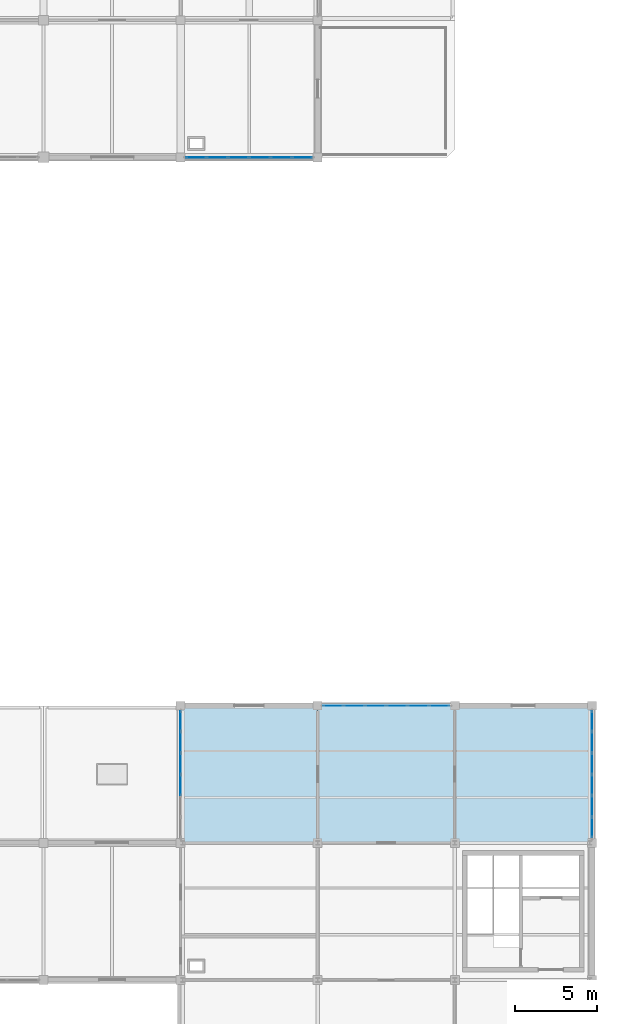
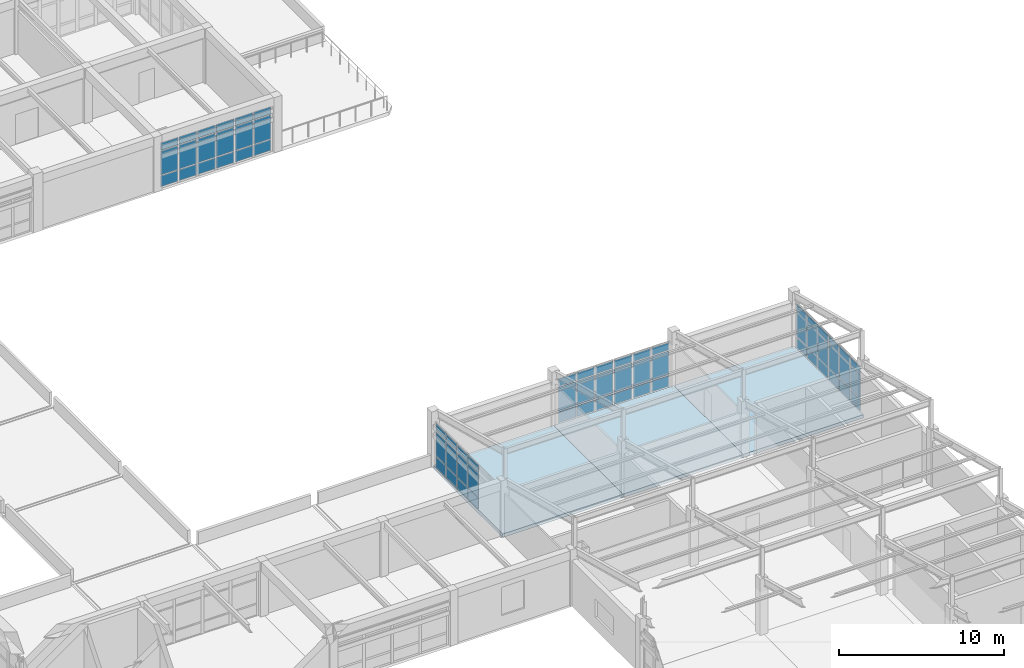
# One storey, part 58 of 74: 66 plates, 3 slabs, 4 elements without a shape of their own.
"""IFC4 building model written with IfcOpenShell, lengths in metres."""

from ifc_helpers import new_model, si_unit, direction, frame, origin, origin_2d, place, context, subcontext, project, spatial, polyline, rectangle, outline, extrude, material, layer, layer_set, type_object, element, aggregate, save


model = new_model("IFC4")

# Units and contexts
model_context = context("Model", 3, precision=1e-05, world=origin(), true_north=direction((0.0, 1.0)))
body_context = subcontext(model_context, "Body", "Model", "MODEL_VIEW")
ifc_project = project(units=[si_unit("LENGTHUNIT", "METRE"), si_unit("AREAUNIT", "SQUARE_METRE"), si_unit("VOLUMEUNIT", "CUBIC_METRE"), si_unit("PLANEANGLEUNIT", "RADIAN"), si_unit("MASSUNIT", "GRAM", prefix="KILO")], contexts=[model_context])

# Site, building, storey
site_placement = place(None, origin())
site = spatial("IfcSite", under=ifc_project, at=site_placement, CompositionType="ELEMENT")
building_placement = place(site_placement, origin())
building = spatial("IfcBuilding", under=site, at=building_placement, Name="Porcellanite Civic Hall", CompositionType="ELEMENT")
storey_placement = place(building_placement, frame((0.0, 0.0, 14.760009765625)))
storey = spatial("IfcBuildingStorey", under=building, at=storey_placement, Name="L03", CompositionType="ELEMENT", Elevation=14.760009765625)

# Curtain wall, plates
ifc_material_1 = material(Name="Anodised aluminium and solar laminated glass", Category="aluminium")
ifc_layer_1 = layer(ifc_material_1, 0.179931640625)
ifc_layer_set_1 = layer_set([ifc_layer_1], Name="Anodised aluminium and solar laminated glass")
curtain_wall_type = type_object("IfcCurtainWallType", Name="CW-SYS02", PredefinedType="NOTDEFINED", material=ifc_layer_set_1)
curtain_wall_1_placement = place(storey_placement, origin())
curtain_wall_1 = element("IfcCurtainWall", 1, at=curtain_wall_1_placement, inside=storey, type_object=curtain_wall_type, Name="Curtain wall CW-223", PredefinedType="NOTDEFINED")
ifc_material_2 = material(Name="Cyclone laminated solar-control low-E glass", Category="glass")
ifc_layer_2 = layer(ifc_material_2, 0.02587890625)
ifc_layer_set_2 = layer_set([ifc_layer_2], Name="Cyclone laminated solar-control low-E glass")
plate_type = type_object("IfcPlateType", Name="CWP-02", PredefinedType="CURTAIN_PANEL", material=ifc_layer_set_2)
plate_1_placement = place(storey_placement, frame((142.800048828125, 62.345947265625, 0.06494140625), z_axis=(0.0, 0.0, 1.0), x_axis=(0.0, 1.0, 0.0)))
plate_1 = element("IfcPlate", 2, at=plate_1_placement, type_object=plate_type, Name="CW-223 panel 3.1", PredefinedType="CURTAIN_PANEL", context=body_context, shape_type="SweptSolid", body=[
    extrude(rectangle(XDim=1.23291015625, YDim=0.02587890625, at=origin_2d()), origin(), (0.0, 0.0, 1.0), 0.802490234375),
])
plate_2_placement = place(storey_placement, frame((142.800048828125, 62.345947265625, 0.9326171875), z_axis=(0.0, 0.0, 1.0), x_axis=(0.0, 1.0, 0.0)))
plate_2 = element("IfcPlate", 3, at=plate_2_placement, type_object=plate_type, Name="CW-223 panel 3.2", PredefinedType="CURTAIN_PANEL", context=body_context, shape_type="SweptSolid", body=[
    extrude(rectangle(XDim=1.23291015625, YDim=0.02587890625, at=origin_2d()), origin(), (0.0, 0.0, 1.0), 1.7548828125),
])
plate_3_placement = place(storey_placement, frame((142.800048828125, 62.345947265625, 2.75244140625), z_axis=(0.0, 0.0, 1.0), x_axis=(0.0, 1.0, 0.0)))
plate_3 = element("IfcPlate", 4, at=plate_3_placement, type_object=plate_type, Name="CW-223 panel 3.3", PredefinedType="CURTAIN_PANEL", context=body_context, shape_type="SweptSolid", body=[
    extrude(rectangle(XDim=1.23291015625, YDim=0.02587890625, at=origin_2d()), origin(), (0.0, 0.0, 1.0), 0.552490234375),
])
plate_4_placement = place(storey_placement, frame((142.800048828125, 63.654052734375, 0.06494140625), z_axis=(0.0, 0.0, 1.0), x_axis=(0.0, 1.0, 0.0)))
plate_4 = element("IfcPlate", 5, at=plate_4_placement, type_object=plate_type, Name="CW-223 panel 4.1", PredefinedType="CURTAIN_PANEL", context=body_context, shape_type="SweptSolid", body=[
    extrude(rectangle(XDim=1.23291015625, YDim=0.02587890625, at=origin_2d()), origin(), (0.0, 0.0, 1.0), 0.802490234375),
])
plate_5_placement = place(storey_placement, frame((142.800048828125, 63.654052734375, 0.9326171875), z_axis=(0.0, 0.0, 1.0), x_axis=(0.0, 1.0, 0.0)))
plate_5 = element("IfcPlate", 6, at=plate_5_placement, type_object=plate_type, Name="CW-223 panel 4.2", PredefinedType="CURTAIN_PANEL", context=body_context, shape_type="SweptSolid", body=[
    extrude(rectangle(XDim=1.23291015625, YDim=0.02587890625, at=origin_2d()), origin(), (0.0, 0.0, 1.0), 1.7548828125),
])
plate_6_placement = place(storey_placement, frame((142.800048828125, 63.654052734375, 2.75244140625), z_axis=(0.0, 0.0, 1.0), x_axis=(0.0, 1.0, 0.0)))
plate_6 = element("IfcPlate", 7, at=plate_6_placement, type_object=plate_type, Name="CW-223 panel 4.3", PredefinedType="CURTAIN_PANEL", context=body_context, shape_type="SweptSolid", body=[
    extrude(rectangle(XDim=1.23291015625, YDim=0.02587890625, at=origin_2d()), origin(), (0.0, 0.0, 1.0), 0.552490234375),
])
plate_7_placement = place(storey_placement, frame((142.800048828125, 64.9619140625, 0.06494140625), z_axis=(0.0, 0.0, 1.0), x_axis=(0.0, 1.0, 0.0)))
plate_7 = element("IfcPlate", 8, at=plate_7_placement, type_object=plate_type, Name="CW-223 panel 5.1", PredefinedType="CURTAIN_PANEL", context=body_context, shape_type="SweptSolid", body=[
    extrude(rectangle(XDim=1.23291015625, YDim=0.02587890625, at=origin_2d()), origin(), (0.0, 0.0, 1.0), 0.802490234375),
])
plate_8_placement = place(storey_placement, frame((142.800048828125, 64.9619140625, 0.9326171875), z_axis=(0.0, 0.0, 1.0), x_axis=(0.0, 1.0, 0.0)))
plate_8 = element("IfcPlate", 9, at=plate_8_placement, type_object=plate_type, Name="CW-223 panel 5.2", PredefinedType="CURTAIN_PANEL", context=body_context, shape_type="SweptSolid", body=[
    extrude(rectangle(XDim=1.23291015625, YDim=0.02587890625, at=origin_2d()), origin(), (0.0, 0.0, 1.0), 1.7548828125),
])
plate_9_placement = place(storey_placement, frame((142.800048828125, 64.9619140625, 2.75244140625), z_axis=(0.0, 0.0, 1.0), x_axis=(0.0, 1.0, 0.0)))
plate_9 = element("IfcPlate", 10, at=plate_9_placement, type_object=plate_type, Name="CW-223 panel 5.3", PredefinedType="CURTAIN_PANEL", context=body_context, shape_type="SweptSolid", body=[
    extrude(rectangle(XDim=1.23291015625, YDim=0.02587890625, at=origin_2d()), origin(), (0.0, 0.0, 1.0), 0.552490234375),
])
plate_10_placement = place(storey_placement, frame((142.800048828125, 66.251220703125, 0.06494140625), z_axis=(0.0, 0.0, 1.0), x_axis=(0.0, 1.0, 0.0)))
plate_10 = element("IfcPlate", 11, at=plate_10_placement, type_object=plate_type, Name="CW-223 panel 6.1", PredefinedType="CURTAIN_PANEL", context=body_context, shape_type="SweptSolid", body=[
    extrude(rectangle(XDim=1.195556640625, YDim=0.02587890625, at=origin_2d()), origin(), (0.0, 0.0, 1.0), 0.802490234375),
])
plate_11_placement = place(storey_placement, frame((142.800048828125, 66.251220703125, 0.9326171875), z_axis=(0.0, 0.0, 1.0), x_axis=(0.0, 1.0, 0.0)))
plate_11 = element("IfcPlate", 12, at=plate_11_placement, type_object=plate_type, Name="CW-223 panel 6.2", PredefinedType="CURTAIN_PANEL", context=body_context, shape_type="SweptSolid", body=[
    extrude(rectangle(XDim=1.195556640625, YDim=0.02587890625, at=origin_2d()), origin(), (0.0, 0.0, 1.0), 1.7548828125),
])
plate_12_placement = place(storey_placement, frame((142.800048828125, 66.251220703125, 2.75244140625), z_axis=(0.0, 0.0, 1.0), x_axis=(0.0, 1.0, 0.0)))
plate_12 = element("IfcPlate", 13, at=plate_12_placement, type_object=plate_type, Name="CW-223 panel 6.3", PredefinedType="CURTAIN_PANEL", context=body_context, shape_type="SweptSolid", body=[
    extrude(rectangle(XDim=1.195556640625, YDim=0.02587890625, at=origin_2d()), origin(), (0.0, 0.0, 1.0), 0.552490234375),
])
aggregate(curtain_wall_1, [plate_1, plate_2, plate_3, plate_4, plate_5, plate_6, plate_7, plate_8, plate_9, plate_10, plate_11, plate_12])

curtain_wall_2_placement = place(storey_placement, origin())
curtain_wall_2 = element("IfcCurtainWall", 14, at=curtain_wall_2_placement, inside=storey, type_object=curtain_wall_type, Name="Curtain wall CW-224", PredefinedType="NOTDEFINED")
plate_13_placement = place(storey_placement, frame((150.251220703125, 100.800048828125, 0.06494140625), z_axis=(0.0, 0.0, 1.0), x_axis=(-1.0, 0.0, 0.0)))
plate_13 = element("IfcPlate", 15, at=plate_13_placement, type_object=plate_type, Name="CW-224 panel 1.1", PredefinedType="CURTAIN_PANEL", context=body_context, shape_type="SweptSolid", body=[
    extrude(rectangle(XDim=1.195556640625, YDim=0.02587890625, at=origin_2d()), origin(), (0.0, 0.0, 1.0), 0.802490234375),
])
plate_14_placement = place(storey_placement, frame((150.251220703125, 100.800048828125, 0.9326171875), z_axis=(0.0, 0.0, 1.0), x_axis=(-1.0, 0.0, 0.0)))
plate_14 = element("IfcPlate", 16, at=plate_14_placement, type_object=plate_type, Name="CW-224 panel 1.2", PredefinedType="CURTAIN_PANEL", context=body_context, shape_type="SweptSolid", body=[
    extrude(rectangle(XDim=1.195556640625, YDim=0.02587890625, at=origin_2d()), origin(), (0.0, 0.0, 1.0), 1.7548828125),
])
plate_15_placement = place(storey_placement, frame((150.251220703125, 100.800048828125, 2.75244140625), z_axis=(0.0, 0.0, 1.0), x_axis=(-1.0, 0.0, 0.0)))
plate_15 = element("IfcPlate", 17, at=plate_15_placement, type_object=plate_type, Name="CW-224 panel 1.3", PredefinedType="CURTAIN_PANEL", context=body_context, shape_type="SweptSolid", body=[
    extrude(rectangle(XDim=1.195556640625, YDim=0.02587890625, at=origin_2d()), origin(), (0.0, 0.0, 1.0), 0.552490234375),
])
plate_16_placement = place(storey_placement, frame((148.9619140625, 100.800048828125, 0.06494140625), z_axis=(0.0, 0.0, 1.0), x_axis=(-1.0, 0.0, 0.0)))
plate_16 = element("IfcPlate", 18, at=plate_16_placement, type_object=plate_type, Name="CW-224 panel 2.1", PredefinedType="CURTAIN_PANEL", context=body_context, shape_type="SweptSolid", body=[
    extrude(rectangle(XDim=1.23291015625, YDim=0.02587890625, at=origin_2d()), origin(), (0.0, 0.0, 1.0), 0.802490234375),
])
plate_17_placement = place(storey_placement, frame((148.9619140625, 100.800048828125, 0.9326171875), z_axis=(0.0, 0.0, 1.0), x_axis=(-1.0, 0.0, 0.0)))
plate_17 = element("IfcPlate", 19, at=plate_17_placement, type_object=plate_type, Name="CW-224 panel 2.2", PredefinedType="CURTAIN_PANEL", context=body_context, shape_type="SweptSolid", body=[
    extrude(rectangle(XDim=1.23291015625, YDim=0.02587890625, at=origin_2d()), origin(), (0.0, 0.0, 1.0), 1.7548828125),
])
plate_18_placement = place(storey_placement, frame((148.9619140625, 100.800048828125, 2.75244140625), z_axis=(0.0, 0.0, 1.0), x_axis=(-1.0, 0.0, 0.0)))
plate_18 = element("IfcPlate", 20, at=plate_18_placement, type_object=plate_type, Name="CW-224 panel 2.3", PredefinedType="CURTAIN_PANEL", context=body_context, shape_type="SweptSolid", body=[
    extrude(rectangle(XDim=1.23291015625, YDim=0.02587890625, at=origin_2d()), origin(), (0.0, 0.0, 1.0), 0.552490234375),
])
plate_19_placement = place(storey_placement, frame((147.654052734375, 100.800048828125, 0.06494140625), z_axis=(0.0, 0.0, 1.0), x_axis=(-1.0, 0.0, 0.0)))
plate_19 = element("IfcPlate", 21, at=plate_19_placement, type_object=plate_type, Name="CW-224 panel 3.1", PredefinedType="CURTAIN_PANEL", context=body_context, shape_type="SweptSolid", body=[
    extrude(rectangle(XDim=1.23291015625, YDim=0.02587890625, at=origin_2d()), origin(), (0.0, 0.0, 1.0), 0.802490234375),
])
plate_20_placement = place(storey_placement, frame((147.654052734375, 100.800048828125, 0.9326171875), z_axis=(0.0, 0.0, 1.0), x_axis=(-1.0, 0.0, 0.0)))
plate_20 = element("IfcPlate", 22, at=plate_20_placement, type_object=plate_type, Name="CW-224 panel 3.2", PredefinedType="CURTAIN_PANEL", context=body_context, shape_type="SweptSolid", body=[
    extrude(rectangle(XDim=1.23291015625, YDim=0.02587890625, at=origin_2d()), origin(), (0.0, 0.0, 1.0), 1.7548828125),
])
plate_21_placement = place(storey_placement, frame((147.654052734375, 100.800048828125, 2.75244140625), z_axis=(0.0, 0.0, 1.0), x_axis=(-1.0, 0.0, 0.0)))
plate_21 = element("IfcPlate", 23, at=plate_21_placement, type_object=plate_type, Name="CW-224 panel 3.3", PredefinedType="CURTAIN_PANEL", context=body_context, shape_type="SweptSolid", body=[
    extrude(rectangle(XDim=1.23291015625, YDim=0.02587890625, at=origin_2d()), origin(), (0.0, 0.0, 1.0), 0.552490234375),
])
plate_22_placement = place(storey_placement, frame((146.345947265625, 100.800048828125, 0.06494140625), z_axis=(0.0, 0.0, 1.0), x_axis=(-1.0, 0.0, 0.0)))
plate_22 = element("IfcPlate", 24, at=plate_22_placement, type_object=plate_type, Name="CW-224 panel 4.1", PredefinedType="CURTAIN_PANEL", context=body_context, shape_type="SweptSolid", body=[
    extrude(rectangle(XDim=1.23291015625, YDim=0.02587890625, at=origin_2d()), origin(), (0.0, 0.0, 1.0), 0.802490234375),
])
plate_23_placement = place(storey_placement, frame((146.345947265625, 100.800048828125, 0.9326171875), z_axis=(0.0, 0.0, 1.0), x_axis=(-1.0, 0.0, 0.0)))
plate_23 = element("IfcPlate", 25, at=plate_23_placement, type_object=plate_type, Name="CW-224 panel 4.2", PredefinedType="CURTAIN_PANEL", context=body_context, shape_type="SweptSolid", body=[
    extrude(rectangle(XDim=1.23291015625, YDim=0.02587890625, at=origin_2d()), origin(), (0.0, 0.0, 1.0), 1.7548828125),
])
plate_24_placement = place(storey_placement, frame((146.345947265625, 100.800048828125, 2.75244140625), z_axis=(0.0, 0.0, 1.0), x_axis=(-1.0, 0.0, 0.0)))
plate_24 = element("IfcPlate", 26, at=plate_24_placement, type_object=plate_type, Name="CW-224 panel 4.3", PredefinedType="CURTAIN_PANEL", context=body_context, shape_type="SweptSolid", body=[
    extrude(rectangle(XDim=1.23291015625, YDim=0.02587890625, at=origin_2d()), origin(), (0.0, 0.0, 1.0), 0.552490234375),
])
plate_25_placement = place(storey_placement, frame((145.0380859375, 100.800048828125, 0.06494140625), z_axis=(0.0, 0.0, 1.0), x_axis=(-1.0, 0.0, 0.0)))
plate_25 = element("IfcPlate", 27, at=plate_25_placement, type_object=plate_type, Name="CW-224 panel 5.1", PredefinedType="CURTAIN_PANEL", context=body_context, shape_type="SweptSolid", body=[
    extrude(rectangle(XDim=1.23291015625, YDim=0.02587890625, at=origin_2d()), origin(), (0.0, 0.0, 1.0), 0.802490234375),
])
plate_26_placement = place(storey_placement, frame((145.0380859375, 100.800048828125, 0.9326171875), z_axis=(0.0, 0.0, 1.0), x_axis=(-1.0, 0.0, 0.0)))
plate_26 = element("IfcPlate", 28, at=plate_26_placement, type_object=plate_type, Name="CW-224 panel 5.2", PredefinedType="CURTAIN_PANEL", context=body_context, shape_type="SweptSolid", body=[
    extrude(rectangle(XDim=1.23291015625, YDim=0.02587890625, at=origin_2d()), origin(), (0.0, 0.0, 1.0), 1.7548828125),
])
plate_27_placement = place(storey_placement, frame((145.0380859375, 100.800048828125, 2.75244140625), z_axis=(0.0, 0.0, 1.0), x_axis=(-1.0, 0.0, 0.0)))
plate_27 = element("IfcPlate", 29, at=plate_27_placement, type_object=plate_type, Name="CW-224 panel 5.3", PredefinedType="CURTAIN_PANEL", context=body_context, shape_type="SweptSolid", body=[
    extrude(rectangle(XDim=1.23291015625, YDim=0.02587890625, at=origin_2d()), origin(), (0.0, 0.0, 1.0), 0.552490234375),
])
plate_28_placement = place(storey_placement, frame((143.748779296875, 100.800048828125, 0.06494140625), z_axis=(0.0, 0.0, 1.0), x_axis=(-1.0, 0.0, 0.0)))
plate_28 = element("IfcPlate", 30, at=plate_28_placement, type_object=plate_type, Name="CW-224 panel 6.1", PredefinedType="CURTAIN_PANEL", context=body_context, shape_type="SweptSolid", body=[
    extrude(rectangle(XDim=1.195556640625, YDim=0.02587890625, at=origin_2d()), origin(), (0.0, 0.0, 1.0), 0.802490234375),
])
plate_29_placement = place(storey_placement, frame((143.748779296875, 100.800048828125, 0.9326171875), z_axis=(0.0, 0.0, 1.0), x_axis=(-1.0, 0.0, 0.0)))
plate_29 = element("IfcPlate", 31, at=plate_29_placement, type_object=plate_type, Name="CW-224 panel 6.2", PredefinedType="CURTAIN_PANEL", context=body_context, shape_type="SweptSolid", body=[
    extrude(rectangle(XDim=1.195556640625, YDim=0.02587890625, at=origin_2d()), origin(), (0.0, 0.0, 1.0), 1.7548828125),
])
plate_30_placement = place(storey_placement, frame((143.748779296875, 100.800048828125, 2.75244140625), z_axis=(0.0, 0.0, 1.0), x_axis=(-1.0, 0.0, 0.0)))
plate_30 = element("IfcPlate", 32, at=plate_30_placement, type_object=plate_type, Name="CW-224 panel 6.3", PredefinedType="CURTAIN_PANEL", context=body_context, shape_type="SweptSolid", body=[
    extrude(rectangle(XDim=1.195556640625, YDim=0.02587890625, at=origin_2d()), origin(), (0.0, 0.0, 1.0), 0.552490234375),
])
aggregate(curtain_wall_2, [plate_13, plate_14, plate_15, plate_16, plate_17, plate_18, plate_19, plate_20, plate_21, plate_22, plate_23, plate_24, plate_25, plate_26, plate_27, plate_28, plate_29, plate_30])

curtain_wall_3_placement = place(storey_placement, origin())
curtain_wall_3 = element("IfcCurtainWall", 33, at=curtain_wall_3_placement, inside=storey, type_object=curtain_wall_type, Name="Curtain wall CW-227", PredefinedType="NOTDEFINED")
plate_31_placement = place(storey_placement, frame((152.148681640625, 67.199951171875, 0.06494140625), z_axis=(0.0, 0.0, 1.0), x_axis=(1.0, 0.0, 0.0)))
plate_31 = element("IfcPlate", 34, at=plate_31_placement, type_object=plate_type, Name="CW-227 panel 1.1", PredefinedType="CURTAIN_PANEL", context=body_context, shape_type="SweptSolid", body=[
    extrude(rectangle(XDim=1.195556640625, YDim=0.02587890625, at=origin_2d()), origin(), (0.0, 0.0, 1.0), 0.802490234375),
])
plate_32_placement = place(storey_placement, frame((152.148681640625, 67.199951171875, 0.9326171875), z_axis=(0.0, 0.0, 1.0), x_axis=(1.0, 0.0, 0.0)))
plate_32 = element("IfcPlate", 35, at=plate_32_placement, type_object=plate_type, Name="CW-227 panel 1.2", PredefinedType="CURTAIN_PANEL", context=body_context, shape_type="SweptSolid", body=[
    extrude(rectangle(XDim=1.195556640625, YDim=0.02587890625, at=origin_2d()), origin(), (0.0, 0.0, 1.0), 1.7548828125),
])
plate_33_placement = place(storey_placement, frame((152.148681640625, 67.199951171875, 2.75244140625), z_axis=(0.0, 0.0, 1.0), x_axis=(1.0, 0.0, 0.0)))
plate_33 = element("IfcPlate", 36, at=plate_33_placement, type_object=plate_type, Name="CW-227 panel 1.3", PredefinedType="CURTAIN_PANEL", context=body_context, shape_type="SweptSolid", body=[
    extrude(rectangle(XDim=1.195556640625, YDim=0.02587890625, at=origin_2d()), origin(), (0.0, 0.0, 1.0), 0.552490234375),
])
plate_34_placement = place(storey_placement, frame((153.43798828125, 67.199951171875, 0.06494140625), z_axis=(0.0, 0.0, 1.0), x_axis=(1.0, 0.0, 0.0)))
plate_34 = element("IfcPlate", 37, at=plate_34_placement, type_object=plate_type, Name="CW-227 panel 2.1", PredefinedType="CURTAIN_PANEL", context=body_context, shape_type="SweptSolid", body=[
    extrude(rectangle(XDim=1.23291015625, YDim=0.02587890625, at=origin_2d()), origin(), (0.0, 0.0, 1.0), 0.802490234375),
])
plate_35_placement = place(storey_placement, frame((153.43798828125, 67.199951171875, 0.9326171875), z_axis=(0.0, 0.0, 1.0), x_axis=(1.0, 0.0, 0.0)))
plate_35 = element("IfcPlate", 38, at=plate_35_placement, type_object=plate_type, Name="CW-227 panel 2.2", PredefinedType="CURTAIN_PANEL", context=body_context, shape_type="SweptSolid", body=[
    extrude(rectangle(XDim=1.23291015625, YDim=0.02587890625, at=origin_2d()), origin(), (0.0, 0.0, 1.0), 1.7548828125),
])
plate_36_placement = place(storey_placement, frame((153.43798828125, 67.199951171875, 2.75244140625), z_axis=(0.0, 0.0, 1.0), x_axis=(1.0, 0.0, 0.0)))
plate_36 = element("IfcPlate", 39, at=plate_36_placement, type_object=plate_type, Name="CW-227 panel 2.3", PredefinedType="CURTAIN_PANEL", context=body_context, shape_type="SweptSolid", body=[
    extrude(rectangle(XDim=1.23291015625, YDim=0.02587890625, at=origin_2d()), origin(), (0.0, 0.0, 1.0), 0.552490234375),
])
plate_37_placement = place(storey_placement, frame((154.74609375, 67.199951171875, 0.06494140625), z_axis=(0.0, 0.0, 1.0), x_axis=(1.0, 0.0, 0.0)))
plate_37 = element("IfcPlate", 40, at=plate_37_placement, type_object=plate_type, Name="CW-227 panel 3.1", PredefinedType="CURTAIN_PANEL", context=body_context, shape_type="SweptSolid", body=[
    extrude(rectangle(XDim=1.23291015625, YDim=0.02587890625, at=origin_2d()), origin(), (0.0, 0.0, 1.0), 0.802490234375),
])
plate_38_placement = place(storey_placement, frame((154.74609375, 67.199951171875, 0.9326171875), z_axis=(0.0, 0.0, 1.0), x_axis=(1.0, 0.0, 0.0)))
plate_38 = element("IfcPlate", 41, at=plate_38_placement, type_object=plate_type, Name="CW-227 panel 3.2", PredefinedType="CURTAIN_PANEL", context=body_context, shape_type="SweptSolid", body=[
    extrude(rectangle(XDim=1.23291015625, YDim=0.02587890625, at=origin_2d()), origin(), (0.0, 0.0, 1.0), 1.7548828125),
])
plate_39_placement = place(storey_placement, frame((154.74609375, 67.199951171875, 2.75244140625), z_axis=(0.0, 0.0, 1.0), x_axis=(1.0, 0.0, 0.0)))
plate_39 = element("IfcPlate", 42, at=plate_39_placement, type_object=plate_type, Name="CW-227 panel 3.3", PredefinedType="CURTAIN_PANEL", context=body_context, shape_type="SweptSolid", body=[
    extrude(rectangle(XDim=1.23291015625, YDim=0.02587890625, at=origin_2d()), origin(), (0.0, 0.0, 1.0), 0.552490234375),
])
plate_40_placement = place(storey_placement, frame((156.053955078125, 67.199951171875, 0.06494140625), z_axis=(0.0, 0.0, 1.0), x_axis=(1.0, 0.0, 0.0)))
plate_40 = element("IfcPlate", 43, at=plate_40_placement, type_object=plate_type, Name="CW-227 panel 4.1", PredefinedType="CURTAIN_PANEL", context=body_context, shape_type="SweptSolid", body=[
    extrude(rectangle(XDim=1.23291015625, YDim=0.02587890625, at=origin_2d()), origin(), (0.0, 0.0, 1.0), 0.802490234375),
])
plate_41_placement = place(storey_placement, frame((156.053955078125, 67.199951171875, 0.9326171875), z_axis=(0.0, 0.0, 1.0), x_axis=(1.0, 0.0, 0.0)))
plate_41 = element("IfcPlate", 44, at=plate_41_placement, type_object=plate_type, Name="CW-227 panel 4.2", PredefinedType="CURTAIN_PANEL", context=body_context, shape_type="SweptSolid", body=[
    extrude(rectangle(XDim=1.23291015625, YDim=0.02587890625, at=origin_2d()), origin(), (0.0, 0.0, 1.0), 1.7548828125),
])
plate_42_placement = place(storey_placement, frame((156.053955078125, 67.199951171875, 2.75244140625), z_axis=(0.0, 0.0, 1.0), x_axis=(1.0, 0.0, 0.0)))
plate_42 = element("IfcPlate", 45, at=plate_42_placement, type_object=plate_type, Name="CW-227 panel 4.3", PredefinedType="CURTAIN_PANEL", context=body_context, shape_type="SweptSolid", body=[
    extrude(rectangle(XDim=1.23291015625, YDim=0.02587890625, at=origin_2d()), origin(), (0.0, 0.0, 1.0), 0.552490234375),
])
plate_43_placement = place(storey_placement, frame((157.362060546875, 67.199951171875, 0.06494140625), z_axis=(0.0, 0.0, 1.0), x_axis=(1.0, 0.0, 0.0)))
plate_43 = element("IfcPlate", 46, at=plate_43_placement, type_object=plate_type, Name="CW-227 panel 5.1", PredefinedType="CURTAIN_PANEL", context=body_context, shape_type="SweptSolid", body=[
    extrude(rectangle(XDim=1.23291015625, YDim=0.02587890625, at=origin_2d()), origin(), (0.0, 0.0, 1.0), 0.802490234375),
])
plate_44_placement = place(storey_placement, frame((157.362060546875, 67.199951171875, 0.9326171875), z_axis=(0.0, 0.0, 1.0), x_axis=(1.0, 0.0, 0.0)))
plate_44 = element("IfcPlate", 47, at=plate_44_placement, type_object=plate_type, Name="CW-227 panel 5.2", PredefinedType="CURTAIN_PANEL", context=body_context, shape_type="SweptSolid", body=[
    extrude(rectangle(XDim=1.23291015625, YDim=0.02587890625, at=origin_2d()), origin(), (0.0, 0.0, 1.0), 1.7548828125),
])
plate_45_placement = place(storey_placement, frame((157.362060546875, 67.199951171875, 2.75244140625), z_axis=(0.0, 0.0, 1.0), x_axis=(1.0, 0.0, 0.0)))
plate_45 = element("IfcPlate", 48, at=plate_45_placement, type_object=plate_type, Name="CW-227 panel 5.3", PredefinedType="CURTAIN_PANEL", context=body_context, shape_type="SweptSolid", body=[
    extrude(rectangle(XDim=1.23291015625, YDim=0.02587890625, at=origin_2d()), origin(), (0.0, 0.0, 1.0), 0.552490234375),
])
plate_46_placement = place(storey_placement, frame((158.6513671875, 67.199951171875, 0.06494140625), z_axis=(0.0, 0.0, 1.0), x_axis=(1.0, 0.0, 0.0)))
plate_46 = element("IfcPlate", 49, at=plate_46_placement, type_object=plate_type, Name="CW-227 panel 6.1", PredefinedType="CURTAIN_PANEL", context=body_context, shape_type="SweptSolid", body=[
    extrude(rectangle(XDim=1.195556640625, YDim=0.02587890625, at=origin_2d()), origin(), (0.0, 0.0, 1.0), 0.802490234375),
])
plate_47_placement = place(storey_placement, frame((158.6513671875, 67.199951171875, 0.9326171875), z_axis=(0.0, 0.0, 1.0), x_axis=(1.0, 0.0, 0.0)))
plate_47 = element("IfcPlate", 50, at=plate_47_placement, type_object=plate_type, Name="CW-227 panel 6.2", PredefinedType="CURTAIN_PANEL", context=body_context, shape_type="SweptSolid", body=[
    extrude(rectangle(XDim=1.195556640625, YDim=0.02587890625, at=origin_2d()), origin(), (0.0, 0.0, 1.0), 1.7548828125),
])
plate_48_placement = place(storey_placement, frame((158.6513671875, 67.199951171875, 2.75244140625), z_axis=(0.0, 0.0, 1.0), x_axis=(1.0, 0.0, 0.0)))
plate_48 = element("IfcPlate", 51, at=plate_48_placement, type_object=plate_type, Name="CW-227 panel 6.3", PredefinedType="CURTAIN_PANEL", context=body_context, shape_type="SweptSolid", body=[
    extrude(rectangle(XDim=1.195556640625, YDim=0.02587890625, at=origin_2d()), origin(), (0.0, 0.0, 1.0), 0.552490234375),
])
aggregate(curtain_wall_3, [plate_31, plate_32, plate_33, plate_34, plate_35, plate_36, plate_37, plate_38, plate_39, plate_40, plate_41, plate_42, plate_43, plate_44, plate_45, plate_46, plate_47, plate_48])

curtain_wall_4_placement = place(storey_placement, origin())
curtain_wall_4 = element("IfcCurtainWall", 52, at=curtain_wall_4_placement, inside=storey, type_object=curtain_wall_type, Name="Curtain wall CW-228", PredefinedType="NOTDEFINED")
plate_49_placement = place(storey_placement, frame((168.0, 66.251220703125, 0.06494140625), z_axis=(0.0, 0.0, 1.0), x_axis=(0.0, -1.0, 0.0)))
plate_49 = element("IfcPlate", 53, at=plate_49_placement, type_object=plate_type, Name="CW-228 panel 1.1", PredefinedType="CURTAIN_PANEL", context=body_context, shape_type="SweptSolid", body=[
    extrude(rectangle(XDim=1.195556640625, YDim=0.02587890625, at=origin_2d()), origin(), (0.0, 0.0, 1.0), 0.802490234375),
])
plate_50_placement = place(storey_placement, frame((168.0, 66.251220703125, 0.9326171875), z_axis=(0.0, 0.0, 1.0), x_axis=(0.0, -1.0, 0.0)))
plate_50 = element("IfcPlate", 54, at=plate_50_placement, type_object=plate_type, Name="CW-228 panel 1.2", PredefinedType="CURTAIN_PANEL", context=body_context, shape_type="SweptSolid", body=[
    extrude(rectangle(XDim=1.195556640625, YDim=0.02587890625, at=origin_2d()), origin(), (0.0, 0.0, 1.0), 1.7548828125),
])
plate_51_placement = place(storey_placement, frame((168.0, 66.251220703125, 2.75244140625), z_axis=(0.0, 0.0, 1.0), x_axis=(0.0, -1.0, 0.0)))
plate_51 = element("IfcPlate", 55, at=plate_51_placement, type_object=plate_type, Name="CW-228 panel 1.3", PredefinedType="CURTAIN_PANEL", context=body_context, shape_type="SweptSolid", body=[
    extrude(rectangle(XDim=1.195556640625, YDim=0.02587890625, at=origin_2d()), origin(), (0.0, 0.0, 1.0), 0.552490234375),
])
plate_52_placement = place(storey_placement, frame((168.0, 64.9619140625, 0.06494140625), z_axis=(0.0, 0.0, 1.0), x_axis=(0.0, -1.0, 0.0)))
plate_52 = element("IfcPlate", 56, at=plate_52_placement, type_object=plate_type, Name="CW-228 panel 2.1", PredefinedType="CURTAIN_PANEL", context=body_context, shape_type="SweptSolid", body=[
    extrude(rectangle(XDim=1.23291015625, YDim=0.02587890625, at=origin_2d()), origin(), (0.0, 0.0, 1.0), 0.802490234375),
])
plate_53_placement = place(storey_placement, frame((168.0, 64.9619140625, 0.9326171875), z_axis=(0.0, 0.0, 1.0), x_axis=(0.0, -1.0, 0.0)))
plate_53 = element("IfcPlate", 57, at=plate_53_placement, type_object=plate_type, Name="CW-228 panel 2.2", PredefinedType="CURTAIN_PANEL", context=body_context, shape_type="SweptSolid", body=[
    extrude(rectangle(XDim=1.23291015625, YDim=0.02587890625, at=origin_2d()), origin(), (0.0, 0.0, 1.0), 1.7548828125),
])
plate_54_placement = place(storey_placement, frame((168.0, 64.9619140625, 2.75244140625), z_axis=(0.0, 0.0, 1.0), x_axis=(0.0, -1.0, 0.0)))
plate_54 = element("IfcPlate", 58, at=plate_54_placement, type_object=plate_type, Name="CW-228 panel 2.3", PredefinedType="CURTAIN_PANEL", context=body_context, shape_type="SweptSolid", body=[
    extrude(rectangle(XDim=1.23291015625, YDim=0.02587890625, at=origin_2d()), origin(), (0.0, 0.0, 1.0), 0.552490234375),
])
plate_55_placement = place(storey_placement, frame((168.0, 63.654052734375, 0.06494140625), z_axis=(0.0, 0.0, 1.0), x_axis=(0.0, -1.0, 0.0)))
plate_55 = element("IfcPlate", 59, at=plate_55_placement, type_object=plate_type, Name="CW-228 panel 3.1", PredefinedType="CURTAIN_PANEL", context=body_context, shape_type="SweptSolid", body=[
    extrude(rectangle(XDim=1.23291015625, YDim=0.02587890625, at=origin_2d()), origin(), (0.0, 0.0, 1.0), 0.802490234375),
])
plate_56_placement = place(storey_placement, frame((168.0, 63.654052734375, 0.9326171875), z_axis=(0.0, 0.0, 1.0), x_axis=(0.0, -1.0, 0.0)))
plate_56 = element("IfcPlate", 60, at=plate_56_placement, type_object=plate_type, Name="CW-228 panel 3.2", PredefinedType="CURTAIN_PANEL", context=body_context, shape_type="SweptSolid", body=[
    extrude(rectangle(XDim=1.23291015625, YDim=0.02587890625, at=origin_2d()), origin(), (0.0, 0.0, 1.0), 1.7548828125),
])
plate_57_placement = place(storey_placement, frame((168.0, 63.654052734375, 2.75244140625), z_axis=(0.0, 0.0, 1.0), x_axis=(0.0, -1.0, 0.0)))
plate_57 = element("IfcPlate", 61, at=plate_57_placement, type_object=plate_type, Name="CW-228 panel 3.3", PredefinedType="CURTAIN_PANEL", context=body_context, shape_type="SweptSolid", body=[
    extrude(rectangle(XDim=1.23291015625, YDim=0.02587890625, at=origin_2d()), origin(), (0.0, 0.0, 1.0), 0.552490234375),
])
plate_58_placement = place(storey_placement, frame((168.0, 62.345947265625, 0.06494140625), z_axis=(0.0, 0.0, 1.0), x_axis=(0.0, -1.0, 0.0)))
plate_58 = element("IfcPlate", 62, at=plate_58_placement, type_object=plate_type, Name="CW-228 panel 4.1", PredefinedType="CURTAIN_PANEL", context=body_context, shape_type="SweptSolid", body=[
    extrude(rectangle(XDim=1.23291015625, YDim=0.02587890625, at=origin_2d()), origin(), (0.0, 0.0, 1.0), 0.802490234375),
])
plate_59_placement = place(storey_placement, frame((168.0, 62.345947265625, 0.9326171875), z_axis=(0.0, 0.0, 1.0), x_axis=(0.0, -1.0, 0.0)))
plate_59 = element("IfcPlate", 63, at=plate_59_placement, type_object=plate_type, Name="CW-228 panel 4.2", PredefinedType="CURTAIN_PANEL", context=body_context, shape_type="SweptSolid", body=[
    extrude(rectangle(XDim=1.23291015625, YDim=0.02587890625, at=origin_2d()), origin(), (0.0, 0.0, 1.0), 1.7548828125),
])
plate_60_placement = place(storey_placement, frame((168.0, 62.345947265625, 2.75244140625), z_axis=(0.0, 0.0, 1.0), x_axis=(0.0, -1.0, 0.0)))
plate_60 = element("IfcPlate", 64, at=plate_60_placement, type_object=plate_type, Name="CW-228 panel 4.3", PredefinedType="CURTAIN_PANEL", context=body_context, shape_type="SweptSolid", body=[
    extrude(rectangle(XDim=1.23291015625, YDim=0.02587890625, at=origin_2d()), origin(), (0.0, 0.0, 1.0), 0.552490234375),
])
plate_61_placement = place(storey_placement, frame((168.0, 61.0380859375, 0.06494140625), z_axis=(0.0, 0.0, 1.0), x_axis=(0.0, -1.0, 0.0)))
plate_61 = element("IfcPlate", 65, at=plate_61_placement, type_object=plate_type, Name="CW-228 panel 5.1", PredefinedType="CURTAIN_PANEL", context=body_context, shape_type="SweptSolid", body=[
    extrude(rectangle(XDim=1.23291015625, YDim=0.02587890625, at=origin_2d()), origin(), (0.0, 0.0, 1.0), 0.802490234375),
])
plate_62_placement = place(storey_placement, frame((168.0, 61.0380859375, 0.9326171875), z_axis=(0.0, 0.0, 1.0), x_axis=(0.0, -1.0, 0.0)))
plate_62 = element("IfcPlate", 66, at=plate_62_placement, type_object=plate_type, Name="CW-228 panel 5.2", PredefinedType="CURTAIN_PANEL", context=body_context, shape_type="SweptSolid", body=[
    extrude(rectangle(XDim=1.23291015625, YDim=0.02587890625, at=origin_2d()), origin(), (0.0, 0.0, 1.0), 1.7548828125),
])
plate_63_placement = place(storey_placement, frame((168.0, 61.0380859375, 2.75244140625), z_axis=(0.0, 0.0, 1.0), x_axis=(0.0, -1.0, 0.0)))
plate_63 = element("IfcPlate", 67, at=plate_63_placement, type_object=plate_type, Name="CW-228 panel 5.3", PredefinedType="CURTAIN_PANEL", context=body_context, shape_type="SweptSolid", body=[
    extrude(rectangle(XDim=1.23291015625, YDim=0.02587890625, at=origin_2d()), origin(), (0.0, 0.0, 1.0), 0.552490234375),
])
plate_64_placement = place(storey_placement, frame((168.0, 59.748779296875, 0.06494140625), z_axis=(0.0, 0.0, 1.0), x_axis=(0.0, -1.0, 0.0)))
plate_64 = element("IfcPlate", 68, at=plate_64_placement, type_object=plate_type, Name="CW-228 panel 6.1", PredefinedType="CURTAIN_PANEL", context=body_context, shape_type="SweptSolid", body=[
    extrude(rectangle(XDim=1.195556640625, YDim=0.02587890625, at=origin_2d()), origin(), (0.0, 0.0, 1.0), 0.802490234375),
])
plate_65_placement = place(storey_placement, frame((168.0, 59.748779296875, 0.9326171875), z_axis=(0.0, 0.0, 1.0), x_axis=(0.0, -1.0, 0.0)))
plate_65 = element("IfcPlate", 69, at=plate_65_placement, type_object=plate_type, Name="CW-228 panel 6.2", PredefinedType="CURTAIN_PANEL", context=body_context, shape_type="SweptSolid", body=[
    extrude(rectangle(XDim=1.195556640625, YDim=0.02587890625, at=origin_2d()), origin(), (0.0, 0.0, 1.0), 1.7548828125),
])
plate_66_placement = place(storey_placement, frame((168.0, 59.748779296875, 2.75244140625), z_axis=(0.0, 0.0, 1.0), x_axis=(0.0, -1.0, 0.0)))
plate_66 = element("IfcPlate", 70, at=plate_66_placement, type_object=plate_type, Name="CW-228 panel 6.3", PredefinedType="CURTAIN_PANEL", context=body_context, shape_type="SweptSolid", body=[
    extrude(rectangle(XDim=1.195556640625, YDim=0.02587890625, at=origin_2d()), origin(), (0.0, 0.0, 1.0), 0.552490234375),
])
aggregate(curtain_wall_4, [plate_49, plate_50, plate_51, plate_52, plate_53, plate_54, plate_55, plate_56, plate_57, plate_58, plate_59, plate_60, plate_61, plate_62, plate_63, plate_64, plate_65, plate_66])

# Slabs
ifc_material_3 = material(Name="Concrete N40 (40 MPa)", Category="concrete")
ifc_layer_3 = layer(ifc_material_3, 0.25)
ifc_layer_set_3 = layer_set([ifc_layer_3], Name="Concrete N40 (40 MPa)")
slab_type_1 = type_object("IfcSlabType", Name="SL-FL250", PredefinedType="FLOOR", material=ifc_layer_set_3)
slab_1_placement = place(storey_placement, frame((0.0, 0.0, -0.25)))
element("IfcSlab", 71, at=slab_1_placement, inside=storey, type_object=slab_type_1, Name="Slab L03 bay 19-8", PredefinedType="FLOOR", context=body_context, shape_type="SweptSolid", body=[
    extrude(outline(polyline([(151.199951171875, 58.800048828125), (159.60009765625, 58.800048828125), (159.60009765625, 67.199951171875), (151.199951171875, 67.199951171875), (151.199951171875, 58.800048828125)])), origin(), (0.0, 0.0, 1.0), 0.25),
])
slab_2_placement = place(storey_placement, frame((0.0, 0.0, -0.25)))
element("IfcSlab", 72, at=slab_2_placement, inside=storey, type_object=slab_type_1, Name="Slab L03 bay 20-8", PredefinedType="FLOOR", context=body_context, shape_type="SweptSolid", body=[
    extrude(outline(polyline([(159.60009765625, 58.800048828125), (168.0, 58.800048828125), (168.0, 67.199951171875), (159.60009765625, 67.199951171875), (159.60009765625, 58.800048828125)])), origin(), (0.0, 0.0, 1.0), 0.25),
])
ifc_material_4 = material(Name="Concrete N40 (40 MPa)", Category="concrete")
ifc_layer_4 = layer(ifc_material_4, 0.260009765625)
ifc_layer_set_4 = layer_set([ifc_layer_4], Name="Concrete N40 (40 MPa)")
slab_type_2 = type_object("IfcSlabType", Name="SL-FL260", PredefinedType="FLOOR", material=ifc_layer_set_4)
slab_3_placement = place(storey_placement, frame((0.0, 0.0, -0.260009765625)))
element("IfcSlab", 73, at=slab_3_placement, inside=storey, type_object=slab_type_2, Name="Slab L03 bay 18-8", PredefinedType="FLOOR", context=body_context, shape_type="SweptSolid", body=[
    extrude(outline(polyline([(142.800048828125, 58.800048828125), (151.199951171875, 58.800048828125), (151.199951171875, 67.199951171875), (142.800048828125, 67.199951171875), (142.800048828125, 58.800048828125)])), origin(), (0.0, 0.0, 1.0), 0.260009765625),
])

save(model, "model.ifc")
